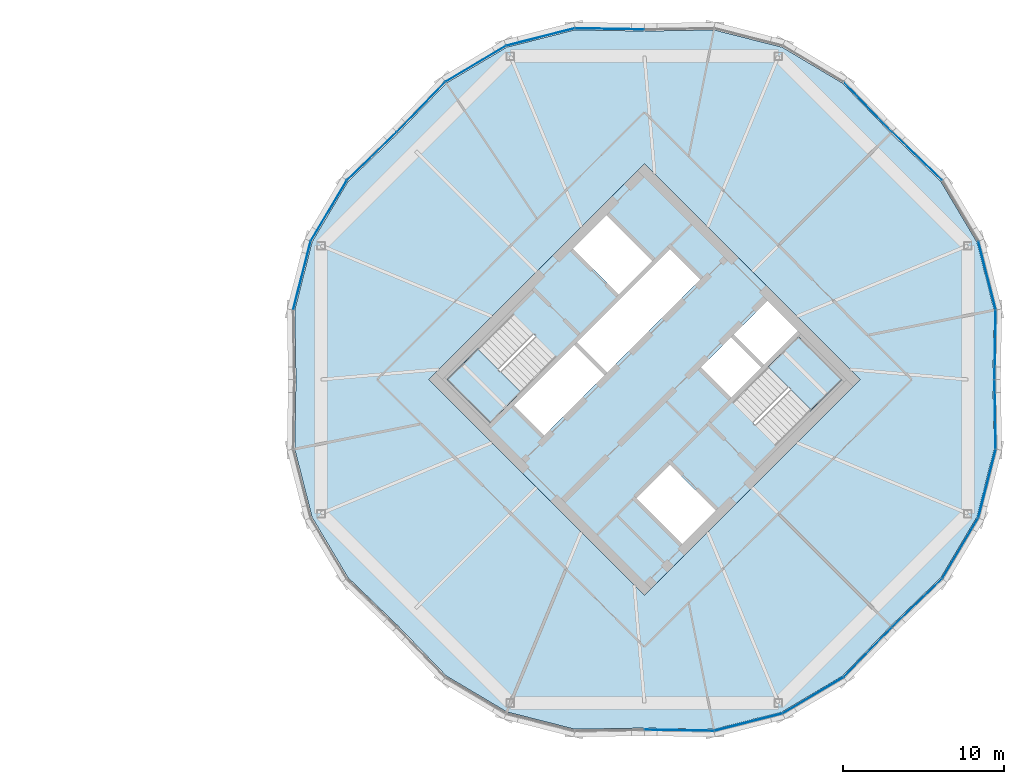
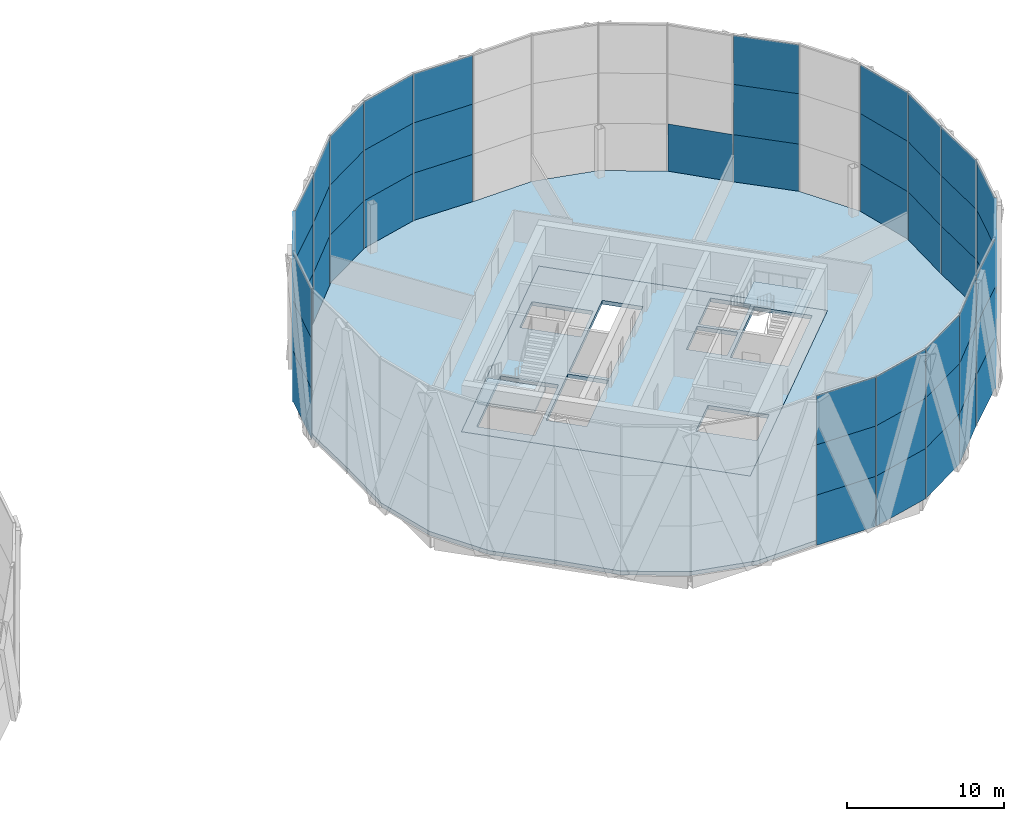
# One storey, part 15 of 23: 55 plates, 4 slabs, 8 elements without a shape of their own.
"""IFC4 building model written with IfcOpenShell, lengths in metres."""

from ifc_helpers import new_model, si_unit, direction, frame, origin, origin_2d, place, context, subcontext, project, spatial, polyline, rectangle, outline, extrude, material, layer, layer_set, type_object, element, aggregate, save


model = new_model("IFC4")

# Units and contexts
model_context = context("Model", 3, precision=1e-05, world=origin(), true_north=direction((0.0, 1.0)))
body_context = subcontext(model_context, "Body", "Model", "MODEL_VIEW")
ifc_project = project(units=[si_unit("LENGTHUNIT", "METRE"), si_unit("AREAUNIT", "SQUARE_METRE"), si_unit("VOLUMEUNIT", "CUBIC_METRE"), si_unit("PLANEANGLEUNIT", "RADIAN"), si_unit("MASSUNIT", "GRAM", prefix="KILO")], contexts=[model_context])

# Site, building, storey
site_placement = place(None, origin())
site = spatial("IfcSite", under=ifc_project, at=site_placement, CompositionType="ELEMENT")
building_placement = place(site_placement, origin())
building = spatial("IfcBuilding", under=site, at=building_placement, Name="Ogive Gate Towers", CompositionType="ELEMENT")
storey_placement = place(building_placement, frame((0.0, 0.0, 177.300048828125)))
storey = spatial("IfcBuildingStorey", under=building, at=storey_placement, Name="L42", CompositionType="ELEMENT", Elevation=177.300048828125)

# Slabs
ifc_material_1 = material(Name="Concrete C40/50", Category="concrete")
ifc_layer_1 = layer(ifc_material_1, 0.300048828125)
ifc_layer_set_1 = layer_set([ifc_layer_1], Name="Core slab C40/50 300 mm")
slab_type_1 = type_object("IfcSlabType", Name="Core slab C40/50 300 mm", PredefinedType="FLOOR", material=ifc_layer_set_1)
slab_1_placement = place(storey_placement, frame((0.0, 0.0, -0.300048828125)))
element("IfcSlab", 1, at=slab_1_placement, inside=storey, type_object=slab_type_1, Name="T2 L42 core slab", PredefinedType="FLOOR", context=body_context, shape_type="SweptSolid", body=[
    extrude(outline(polyline([(36.0, -13.43505859375), (22.56494140625, 0.0), (36.0, 13.43505859375), (49.43505859375, 0.0), (36.0, -13.43505859375)]), holes=[polyline([(29.759765625, -3.482421875), (33.50732421875, 0.26513671875), (31.615966796875, 2.15673828125), (27.868408203125, -1.591064453125), (29.759765625, -3.482421875)]), polyline([(31.792724609375, 2.33349609375), (33.68408203125, 0.44189453125), (39.482421875, 6.240234375), (37.591064453125, 8.131591796875), (31.792724609375, 2.33349609375)]), polyline([(41.3916015625, 2.634033203125), (39.517822265625, 0.760009765625), (41.409423828125, -1.13134765625), (43.283203125, 0.742431640625), (41.3916015625, 2.634033203125)]), polyline([(45.563720703125, 3.02294921875), (43.672119140625, 4.914306640625), (41.568603515625, 2.810791015625), (43.4599609375, 0.919189453125), (45.563720703125, 3.02294921875)]), polyline([(34.408935546875, 5.30322265625), (36.4951171875, 7.389404296875), (33.64892578125, 10.2353515625), (31.56298828125, 8.1494140625), (34.408935546875, 5.30322265625)]), polyline([(35.5048828125, -7.389404296875), (38.35107421875, -10.2353515625), (40.43701171875, -8.1494140625), (37.591064453125, -5.30322265625), (35.5048828125, -7.389404296875)]), polyline([(26.40087890625, -2.70458984375), (30.512939453125, 1.406982421875), (27.80810546875, 4.11181640625), (23.6962890625, 0.0), (26.40087890625, -2.70458984375)]), polyline([(48.3037109375, 0.0), (45.59912109375, 2.70458984375), (41.487060546875, -1.406982421875), (44.19189453125, -4.11181640625), (48.3037109375, 0.0)])]), origin(), (0.0, 0.0, 1.0), 0.300048828125),
])
ifc_material_2 = material(Name="Concrete C35/45", Category="concrete")
ifc_layer_2 = layer(ifc_material_2, 0.300048828125)
ifc_layer_set_2 = layer_set([ifc_layer_2], Name="Floor slab 300")
slab_type_2 = type_object("IfcSlabType", Name="Floor slab 300", PredefinedType="FLOOR", material=ifc_layer_set_2)
slab_2_placement = place(storey_placement, frame((0.0, 0.0, -0.300048828125)))
element("IfcSlab", 2, at=slab_2_placement, inside=storey, type_object=slab_type_2, Name="T2/L42/SSL001", PredefinedType="FLOOR", context=body_context, shape_type="SweptSolid", body=[
    extrude(outline(polyline([(57.783203125, -4.3330078125), (57.7099609375, 0.0), (57.783203125, 4.3330078125), (56.7041015625, 8.575927734375), (54.467041015625, 12.339111328125), (51.351318359375, 15.351318359375), (48.339111328125, 18.467041015625), (44.575927734375, 20.7041015625), (40.3330078125, 21.783203125), (36.0, 21.7099609375), (31.6669921875, 21.783203125), (27.424072265625, 20.7041015625), (23.660888671875, 18.467041015625), (20.648681640625, 15.351318359375), (17.532958984375, 12.339111328125), (15.2958984375, 8.575927734375), (14.216796875, 4.3330078125), (14.2900390625, 0.0), (14.216796875, -4.3330078125), (15.2958984375, -8.575927734375), (17.532958984375, -12.339111328125), (20.648681640625, -15.351318359375), (23.660888671875, -18.467041015625), (27.424072265625, -20.7041015625), (31.6669921875, -21.783203125), (36.0, -21.7099609375), (40.3330078125, -21.783203125), (44.575927734375, -20.7041015625), (48.339111328125, -18.467041015625), (51.351318359375, -15.351318359375), (54.467041015625, -12.339111328125), (56.7041015625, -8.575927734375), (57.783203125, -4.3330078125)]), holes=[polyline([(49.43505859375, 0.0), (36.0, -13.43505859375), (22.56494140625, 0.0), (36.0, 13.43505859375), (49.43505859375, 0.0)])]), origin(), (0.0, 0.0, 1.0), 0.300048828125),
])

# Stair, slab
stair_type = type_object("IfcStairType", Name="Escape stair 1840 wide", PredefinedType="HALF_TURN_STAIR", material=ifc_material_1)
stair_1_placement = place(storey_placement, origin())
stair_1 = element("IfcStair", 3, at=stair_1_placement, inside=storey, type_object=stair_type, Name="L42 Escape stair 1", PredefinedType="HALF_TURN_STAIR")
ifc_layer_3 = layer(ifc_material_1, 0.199951171875)
ifc_layer_set_3 = layer_set([ifc_layer_3], Name="Stair landing 200 mm")
slab_type_3 = type_object("IfcSlabType", Name="Stair landing 200 mm", PredefinedType="LANDING", material=ifc_layer_set_3)
slab_3_placement = place(storey_placement, frame((0.0, 0.0, 1.75)))
slab_3 = element("IfcSlab", 4, at=slab_3_placement, type_object=slab_type_3, Name="ST1 landing 1", PredefinedType="LANDING", context=body_context, shape_type="SweptSolid", body=[
    extrude(outline(polyline([(25.6044921875, 1.908203125), (23.6962890625, 0.0), (26.401123046875, -2.70458984375), (28.309326171875, -0.79638671875), (25.6044921875, 1.908203125)])), origin(), (0.0, 0.0, 1.0), 0.199951171875),
])
aggregate(stair_1, [slab_3])

stair_2_placement = place(storey_placement, origin())
stair_2 = element("IfcStair", 5, at=stair_2_placement, inside=storey, type_object=stair_type, Name="L42 Escape stair 2", PredefinedType="HALF_TURN_STAIR")
slab_4_placement = place(storey_placement, frame((0.0, 0.0, 1.75)))
slab_4 = element("IfcSlab", 6, at=slab_4_placement, type_object=slab_type_3, Name="ST2 landing 1", PredefinedType="LANDING", context=body_context, shape_type="SweptSolid", body=[
    extrude(outline(polyline([(46.3955078125, -1.908203125), (48.3037109375, 0.0), (45.598876953125, 2.70458984375), (43.690673828125, 0.79638671875), (46.3955078125, -1.908203125)])), origin(), (0.0, 0.0, 1.0), 0.199951171875),
])
aggregate(stair_2, [slab_4])

# Curtain wall, plates
ifc_material_3 = material(Name="Pale metal aluminium", Category="aluminium")
curtain_wall_type = type_object("IfcCurtainWallType", Name="Tower unitised wall, high zone", PredefinedType="NOTDEFINED", material=ifc_material_3)
curtain_wall_1_placement = place(storey_placement, origin())
curtain_wall_1 = element("IfcCurtainWall", 7, at=curtain_wall_1_placement, inside=storey, type_object=curtain_wall_type, Name="CW2 T2 ECW01", PredefinedType="NOTDEFINED")
ifc_material_4 = material(Name="Clear glass", Category="glass")
ifc_layer_4 = layer(ifc_material_4, 0.028076171875)
ifc_layer_set_4 = layer_set([ifc_layer_4], Name="Tower unitised wall, high zone glass panel")
plate_type = type_object("IfcPlateType", Name="Tower unitised wall, high zone glass panel", PredefinedType="CURTAIN_PANEL", material=ifc_layer_set_4)
plate_1_placement = place(storey_placement, frame((57.8466796875, 2.17041015625, -0.300048828125), z_axis=(0.0, 0.0, 1.0), x_axis=(0.016911434246, 0.99985699147, 0.0)))
plate_1 = element("IfcPlate", 8, at=plate_1_placement, type_object=plate_type, Name="CW2 glass panel", PredefinedType="CURTAIN_PANEL", context=body_context, shape_type="SweptSolid", body=[
    extrude(rectangle(XDim=4.287353515625, YDim=0.028076171875, at=origin_2d()), origin(), (0.0, 0.0, 1.0), 3.89990234375),
])
plate_2_placement = place(storey_placement, frame((57.8466796875, 2.17041015625, 3.60009765625), z_axis=(0.0, 0.0, 1.0), x_axis=(0.016911434246, 0.99985699147, 0.0)))
plate_2 = element("IfcPlate", 9, at=plate_2_placement, type_object=plate_type, Name="CW2 glass panel", PredefinedType="CURTAIN_PANEL", context=body_context, shape_type="SweptSolid", body=[
    extrude(rectangle(XDim=4.287353515625, YDim=0.028076171875, at=origin_2d()), origin(), (0.0, 0.0, 1.0), 3.89990234375),
])
plate_3_placement = place(storey_placement, frame((57.8466796875, 2.17041015625, 7.5), z_axis=(0.0, 0.0, 1.0), x_axis=(0.016911434246, 0.99985699147, 0.0)))
plate_3 = element("IfcPlate", 10, at=plate_3_placement, type_object=plate_type, Name="CW2 glass panel", PredefinedType="CURTAIN_PANEL", context=body_context, shape_type="SweptSolid", body=[
    extrude(rectangle(XDim=4.287353515625, YDim=0.028076171875, at=origin_2d()), origin(), (0.0, 0.0, 1.0), 3.803955078125),
])
plate_4_placement = place(storey_placement, frame((57.340576171875, 6.4794921875, -0.300048828125), z_axis=(0.0, 0.0, 1.0), x_axis=(-0.246491603437, 0.969144926951, 0.0)))
plate_4 = element("IfcPlate", 11, at=plate_4_placement, type_object=plate_type, Name="CW2 glass panel", PredefinedType="CURTAIN_PANEL", context=body_context, shape_type="SweptSolid", body=[
    extrude(rectangle(XDim=4.343994140625, YDim=0.028076171875, at=origin_2d()), origin(), (0.0, 0.0, 1.0), 3.89990234375),
])
plate_5_placement = place(storey_placement, frame((57.340576171875, 6.4794921875, 3.60009765625), z_axis=(0.0, 0.0, 1.0), x_axis=(-0.246491603437, 0.969144926951, 0.0)))
plate_5 = element("IfcPlate", 12, at=plate_5_placement, type_object=plate_type, Name="CW2 glass panel", PredefinedType="CURTAIN_PANEL", context=body_context, shape_type="SweptSolid", body=[
    extrude(rectangle(XDim=4.343994140625, YDim=0.028076171875, at=origin_2d()), origin(), (0.0, 0.0, 1.0), 3.89990234375),
])
plate_6_placement = place(storey_placement, frame((57.340576171875, 6.4794921875, 7.5), z_axis=(0.0, 0.0, 1.0), x_axis=(-0.246491603437, 0.969144926951, 0.0)))
plate_6 = element("IfcPlate", 13, at=plate_6_placement, type_object=plate_type, Name="CW2 glass panel", PredefinedType="CURTAIN_PANEL", context=body_context, shape_type="SweptSolid", body=[
    extrude(rectangle(XDim=4.343994140625, YDim=0.028076171875, at=origin_2d()), origin(), (0.0, 0.0, 1.0), 3.803955078125),
])
plate_7_placement = place(storey_placement, frame((52.982666015625, 13.9130859375, -0.300048828125), z_axis=(0.0, 0.0, 1.0), x_axis=(-0.71896384872, 0.69504746905, 0.0)))
plate_7 = element("IfcPlate", 14, at=plate_7_placement, type_object=plate_type, Name="CW2 glass panel", PredefinedType="CURTAIN_PANEL", context=body_context, shape_type="SweptSolid", body=[
    extrude(rectangle(XDim=4.287353515625, YDim=0.028076171875, at=origin_2d()), origin(), (0.0, 0.0, 1.0), 3.89990234375),
])
plate_8_placement = place(storey_placement, frame((52.982666015625, 13.9130859375, 3.60009765625), z_axis=(0.0, 0.0, 1.0), x_axis=(-0.71896384872, 0.69504746905, 0.0)))
plate_8 = element("IfcPlate", 15, at=plate_8_placement, type_object=plate_type, Name="CW2 glass panel", PredefinedType="CURTAIN_PANEL", context=body_context, shape_type="SweptSolid", body=[
    extrude(rectangle(XDim=4.287353515625, YDim=0.028076171875, at=origin_2d()), origin(), (0.0, 0.0, 1.0), 3.89990234375),
])
plate_9_placement = place(storey_placement, frame((52.982666015625, 13.9130859375, 7.5), z_axis=(0.0, 0.0, 1.0), x_axis=(-0.71896384872, 0.69504746905, 0.0)))
plate_9 = element("IfcPlate", 16, at=plate_9_placement, type_object=plate_type, Name="CW2 glass panel", PredefinedType="CURTAIN_PANEL", context=body_context, shape_type="SweptSolid", body=[
    extrude(rectangle(XDim=4.287353515625, YDim=0.028076171875, at=origin_2d()), origin(), (0.0, 0.0, 1.0), 3.803955078125),
])
aggregate(curtain_wall_1, [plate_1, plate_2, plate_3, plate_4, plate_5, plate_6, plate_7, plate_8, plate_9])

# Curtain wall, plate
curtain_wall_2_placement = place(storey_placement, origin())
curtain_wall_2 = element("IfcCurtainWall", 17, at=curtain_wall_2_placement, inside=storey, type_object=curtain_wall_type, Name="CW2 T2 ECW02", PredefinedType="NOTDEFINED")
plate_10_placement = place(storey_placement, frame((49.9130859375, 16.982666015625, -0.300048828125), z_axis=(0.0, 0.0, 1.0), x_axis=(-0.69504746905, 0.71896384872, 0.0)))
plate_10 = element("IfcPlate", 18, at=plate_10_placement, type_object=plate_type, Name="CW2 glass panel", PredefinedType="CURTAIN_PANEL", context=body_context, shape_type="SweptSolid", body=[
    extrude(rectangle(XDim=4.287353515625, YDim=0.028076171875, at=origin_2d()), origin(), (0.0, 0.0, 1.0), 3.89990234375),
])
aggregate(curtain_wall_2, [plate_10])

# Curtain wall, plates
curtain_wall_3_placement = place(storey_placement, origin())
curtain_wall_3 = element("IfcCurtainWall", 19, at=curtain_wall_3_placement, inside=storey, type_object=curtain_wall_type, Name="CW2 T2 ECW03", PredefinedType="NOTDEFINED")
plate_11_placement = place(storey_placement, frame((33.82958984375, 21.8466796875, -0.300048828125), z_axis=(0.0, 0.0, 1.0), x_axis=(-0.99985699147, 0.016911434246, 0.0)))
plate_11 = element("IfcPlate", 20, at=plate_11_placement, type_object=plate_type, Name="CW2 glass panel", PredefinedType="CURTAIN_PANEL", context=body_context, shape_type="SweptSolid", body=[
    extrude(rectangle(XDim=4.287353515625, YDim=0.028076171875, at=origin_2d()), origin(), (0.0, 0.0, 1.0), 3.89990234375),
])
plate_12_placement = place(storey_placement, frame((33.82958984375, 21.8466796875, 3.60009765625), z_axis=(0.0, 0.0, 1.0), x_axis=(-0.99985699147, 0.016911434246, 0.0)))
plate_12 = element("IfcPlate", 21, at=plate_12_placement, type_object=plate_type, Name="CW2 glass panel", PredefinedType="CURTAIN_PANEL", context=body_context, shape_type="SweptSolid", body=[
    extrude(rectangle(XDim=4.287353515625, YDim=0.028076171875, at=origin_2d()), origin(), (0.0, 0.0, 1.0), 3.89990234375),
])
plate_13_placement = place(storey_placement, frame((33.82958984375, 21.8466796875, 7.5), z_axis=(0.0, 0.0, 1.0), x_axis=(-0.99985699147, 0.016911434246, 0.0)))
plate_13 = element("IfcPlate", 22, at=plate_13_placement, type_object=plate_type, Name="CW2 glass panel", PredefinedType="CURTAIN_PANEL", context=body_context, shape_type="SweptSolid", body=[
    extrude(rectangle(XDim=4.287353515625, YDim=0.028076171875, at=origin_2d()), origin(), (0.0, 0.0, 1.0), 3.803955078125),
])
plate_14_placement = place(storey_placement, frame((29.5205078125, 21.340576171875, -0.300048828125), z_axis=(0.0, 0.0, 1.0), x_axis=(-0.969144926951, -0.246491603437, 0.0)))
plate_14 = element("IfcPlate", 23, at=plate_14_placement, type_object=plate_type, Name="CW2 glass panel", PredefinedType="CURTAIN_PANEL", context=body_context, shape_type="SweptSolid", body=[
    extrude(rectangle(XDim=4.343994140625, YDim=0.028076171875, at=origin_2d()), origin(), (0.0, 0.0, 1.0), 3.89990234375),
])
plate_15_placement = place(storey_placement, frame((29.5205078125, 21.340576171875, 3.60009765625), z_axis=(0.0, 0.0, 1.0), x_axis=(-0.969144926951, -0.246491603437, 0.0)))
plate_15 = element("IfcPlate", 24, at=plate_15_placement, type_object=plate_type, Name="CW2 glass panel", PredefinedType="CURTAIN_PANEL", context=body_context, shape_type="SweptSolid", body=[
    extrude(rectangle(XDim=4.343994140625, YDim=0.028076171875, at=origin_2d()), origin(), (0.0, 0.0, 1.0), 3.89990234375),
])
plate_16_placement = place(storey_placement, frame((29.5205078125, 21.340576171875, 7.5), z_axis=(0.0, 0.0, 1.0), x_axis=(-0.969144926951, -0.246491603437, 0.0)))
plate_16 = element("IfcPlate", 25, at=plate_16_placement, type_object=plate_type, Name="CW2 glass panel", PredefinedType="CURTAIN_PANEL", context=body_context, shape_type="SweptSolid", body=[
    extrude(rectangle(XDim=4.343994140625, YDim=0.028076171875, at=origin_2d()), origin(), (0.0, 0.0, 1.0), 3.803955078125),
])
plate_17_placement = place(storey_placement, frame((25.49169921875, 19.671875, -0.300048828125), z_axis=(0.0, 0.0, 1.0), x_axis=(-0.859584834096, -0.510993065504, 0.0)))
plate_17 = element("IfcPlate", 26, at=plate_17_placement, type_object=plate_type, Name="CW2 glass panel", PredefinedType="CURTAIN_PANEL", context=body_context, shape_type="SweptSolid", body=[
    extrude(rectangle(XDim=4.343994140625, YDim=0.028076171875, at=origin_2d()), origin(), (0.0, 0.0, 1.0), 3.89990234375),
])
plate_18_placement = place(storey_placement, frame((25.49169921875, 19.671875, 3.60009765625), z_axis=(0.0, 0.0, 1.0), x_axis=(-0.859584834096, -0.510993065504, 0.0)))
plate_18 = element("IfcPlate", 27, at=plate_18_placement, type_object=plate_type, Name="CW2 glass panel", PredefinedType="CURTAIN_PANEL", context=body_context, shape_type="SweptSolid", body=[
    extrude(rectangle(XDim=4.343994140625, YDim=0.028076171875, at=origin_2d()), origin(), (0.0, 0.0, 1.0), 3.89990234375),
])
plate_19_placement = place(storey_placement, frame((25.49169921875, 19.671875, 7.5), z_axis=(0.0, 0.0, 1.0), x_axis=(-0.859584834096, -0.510993065504, 0.0)))
plate_19 = element("IfcPlate", 28, at=plate_19_placement, type_object=plate_type, Name="CW2 glass panel", PredefinedType="CURTAIN_PANEL", context=body_context, shape_type="SweptSolid", body=[
    extrude(rectangle(XDim=4.343994140625, YDim=0.028076171875, at=origin_2d()), origin(), (0.0, 0.0, 1.0), 3.803955078125),
])
plate_20_placement = place(storey_placement, frame((22.0869140625, 16.982666015625, -0.300048828125), z_axis=(0.0, 0.0, 1.0), x_axis=(-0.69504746905, -0.71896384872, 0.0)))
plate_20 = element("IfcPlate", 29, at=plate_20_placement, type_object=plate_type, Name="CW2 glass panel", PredefinedType="CURTAIN_PANEL", context=body_context, shape_type="SweptSolid", body=[
    extrude(rectangle(XDim=4.287353515625, YDim=0.028076171875, at=origin_2d()), origin(), (0.0, 0.0, 1.0), 3.89990234375),
])
plate_21_placement = place(storey_placement, frame((22.0869140625, 16.982666015625, 3.60009765625), z_axis=(0.0, 0.0, 1.0), x_axis=(-0.69504746905, -0.71896384872, 0.0)))
plate_21 = element("IfcPlate", 30, at=plate_21_placement, type_object=plate_type, Name="CW2 glass panel", PredefinedType="CURTAIN_PANEL", context=body_context, shape_type="SweptSolid", body=[
    extrude(rectangle(XDim=4.287353515625, YDim=0.028076171875, at=origin_2d()), origin(), (0.0, 0.0, 1.0), 3.89990234375),
])
plate_22_placement = place(storey_placement, frame((22.0869140625, 16.982666015625, 7.5), z_axis=(0.0, 0.0, 1.0), x_axis=(-0.69504746905, -0.71896384872, 0.0)))
plate_22 = element("IfcPlate", 31, at=plate_22_placement, type_object=plate_type, Name="CW2 glass panel", PredefinedType="CURTAIN_PANEL", context=body_context, shape_type="SweptSolid", body=[
    extrude(rectangle(XDim=4.287353515625, YDim=0.028076171875, at=origin_2d()), origin(), (0.0, 0.0, 1.0), 3.803955078125),
])
aggregate(curtain_wall_3, [plate_11, plate_12, plate_13, plate_14, plate_15, plate_16, plate_17, plate_18, plate_19, plate_20, plate_21, plate_22])

curtain_wall_4_placement = place(storey_placement, origin())
curtain_wall_4 = element("IfcCurtainWall", 32, at=curtain_wall_4_placement, inside=storey, type_object=curtain_wall_type, Name="CW2 T2 ECW04", PredefinedType="NOTDEFINED")
plate_23_placement = place(storey_placement, frame((19.017333984375, 13.9130859375, -0.300048828125), z_axis=(0.0, 0.0, 1.0), x_axis=(-0.71896384872, -0.69504746905, 0.0)))
plate_23 = element("IfcPlate", 33, at=plate_23_placement, type_object=plate_type, Name="CW2 glass panel", PredefinedType="CURTAIN_PANEL", context=body_context, shape_type="SweptSolid", body=[
    extrude(rectangle(XDim=4.287353515625, YDim=0.028076171875, at=origin_2d()), origin(), (0.0, 0.0, 1.0), 3.89990234375),
])
plate_24_placement = place(storey_placement, frame((19.017333984375, 13.9130859375, 3.60009765625), z_axis=(0.0, 0.0, 1.0), x_axis=(-0.71896384872, -0.69504746905, 0.0)))
plate_24 = element("IfcPlate", 34, at=plate_24_placement, type_object=plate_type, Name="CW2 glass panel", PredefinedType="CURTAIN_PANEL", context=body_context, shape_type="SweptSolid", body=[
    extrude(rectangle(XDim=4.287353515625, YDim=0.028076171875, at=origin_2d()), origin(), (0.0, 0.0, 1.0), 3.89990234375),
])
plate_25_placement = place(storey_placement, frame((19.017333984375, 13.9130859375, 7.5), z_axis=(0.0, 0.0, 1.0), x_axis=(-0.71896384872, -0.69504746905, 0.0)))
plate_25 = element("IfcPlate", 35, at=plate_25_placement, type_object=plate_type, Name="CW2 glass panel", PredefinedType="CURTAIN_PANEL", context=body_context, shape_type="SweptSolid", body=[
    extrude(rectangle(XDim=4.287353515625, YDim=0.028076171875, at=origin_2d()), origin(), (0.0, 0.0, 1.0), 3.803955078125),
])
plate_26_placement = place(storey_placement, frame((16.328125, 10.50830078125, -0.300048828125), z_axis=(0.0, 0.0, 1.0), x_axis=(-0.510993065504, -0.859584834096, 0.0)))
plate_26 = element("IfcPlate", 36, at=plate_26_placement, type_object=plate_type, Name="CW2 glass panel", PredefinedType="CURTAIN_PANEL", context=body_context, shape_type="SweptSolid", body=[
    extrude(rectangle(XDim=4.343994140625, YDim=0.028076171875, at=origin_2d()), origin(), (0.0, 0.0, 1.0), 3.89990234375),
])
plate_27_placement = place(storey_placement, frame((16.328125, 10.50830078125, 3.60009765625), z_axis=(0.0, 0.0, 1.0), x_axis=(-0.510993065504, -0.859584834096, 0.0)))
plate_27 = element("IfcPlate", 37, at=plate_27_placement, type_object=plate_type, Name="CW2 glass panel", PredefinedType="CURTAIN_PANEL", context=body_context, shape_type="SweptSolid", body=[
    extrude(rectangle(XDim=4.343994140625, YDim=0.028076171875, at=origin_2d()), origin(), (0.0, 0.0, 1.0), 3.89990234375),
])
plate_28_placement = place(storey_placement, frame((16.328125, 10.50830078125, 7.5), z_axis=(0.0, 0.0, 1.0), x_axis=(-0.510993065504, -0.859584834096, 0.0)))
plate_28 = element("IfcPlate", 38, at=plate_28_placement, type_object=plate_type, Name="CW2 glass panel", PredefinedType="CURTAIN_PANEL", context=body_context, shape_type="SweptSolid", body=[
    extrude(rectangle(XDim=4.343994140625, YDim=0.028076171875, at=origin_2d()), origin(), (0.0, 0.0, 1.0), 3.803955078125),
])
plate_29_placement = place(storey_placement, frame((14.659423828125, 6.4794921875, -0.300048828125), z_axis=(0.0, 0.0, 1.0), x_axis=(-0.246491603437, -0.969144926951, 0.0)))
plate_29 = element("IfcPlate", 39, at=plate_29_placement, type_object=plate_type, Name="CW2 glass panel", PredefinedType="CURTAIN_PANEL", context=body_context, shape_type="SweptSolid", body=[
    extrude(rectangle(XDim=4.343994140625, YDim=0.028076171875, at=origin_2d()), origin(), (0.0, 0.0, 1.0), 3.89990234375),
])
plate_30_placement = place(storey_placement, frame((14.659423828125, 6.4794921875, 3.60009765625), z_axis=(0.0, 0.0, 1.0), x_axis=(-0.246491603437, -0.969144926951, 0.0)))
plate_30 = element("IfcPlate", 40, at=plate_30_placement, type_object=plate_type, Name="CW2 glass panel", PredefinedType="CURTAIN_PANEL", context=body_context, shape_type="SweptSolid", body=[
    extrude(rectangle(XDim=4.343994140625, YDim=0.028076171875, at=origin_2d()), origin(), (0.0, 0.0, 1.0), 3.89990234375),
])
plate_31_placement = place(storey_placement, frame((14.659423828125, 6.4794921875, 7.5), z_axis=(0.0, 0.0, 1.0), x_axis=(-0.246491603437, -0.969144926951, 0.0)))
plate_31 = element("IfcPlate", 41, at=plate_31_placement, type_object=plate_type, Name="CW2 glass panel", PredefinedType="CURTAIN_PANEL", context=body_context, shape_type="SweptSolid", body=[
    extrude(rectangle(XDim=4.343994140625, YDim=0.028076171875, at=origin_2d()), origin(), (0.0, 0.0, 1.0), 3.803955078125),
])
aggregate(curtain_wall_4, [plate_23, plate_24, plate_25, plate_26, plate_27, plate_28, plate_29, plate_30, plate_31])

curtain_wall_5_placement = place(storey_placement, origin())
curtain_wall_5 = element("IfcCurtainWall", 42, at=curtain_wall_5_placement, inside=storey, type_object=curtain_wall_type, Name="CW2 T2 ECW07", PredefinedType="NOTDEFINED")
plate_32_placement = place(storey_placement, frame((38.17041015625, -21.8466796875, -0.300048828125), z_axis=(0.0, 0.0, 1.0), x_axis=(0.99985699147, -0.016911434246, 0.0)))
plate_32 = element("IfcPlate", 43, at=plate_32_placement, type_object=plate_type, Name="CW2 glass panel", PredefinedType="CURTAIN_PANEL", context=body_context, shape_type="SweptSolid", body=[
    extrude(rectangle(XDim=4.287353515625, YDim=0.028076171875, at=origin_2d()), origin(), (0.0, 0.0, 1.0), 3.89990234375),
])
plate_33_placement = place(storey_placement, frame((38.17041015625, -21.8466796875, 3.60009765625), z_axis=(0.0, 0.0, 1.0), x_axis=(0.99985699147, -0.016911434246, 0.0)))
plate_33 = element("IfcPlate", 44, at=plate_33_placement, type_object=plate_type, Name="CW2 glass panel", PredefinedType="CURTAIN_PANEL", context=body_context, shape_type="SweptSolid", body=[
    extrude(rectangle(XDim=4.287353515625, YDim=0.028076171875, at=origin_2d()), origin(), (0.0, 0.0, 1.0), 3.89990234375),
])
plate_34_placement = place(storey_placement, frame((38.17041015625, -21.8466796875, 7.5), z_axis=(0.0, 0.0, 1.0), x_axis=(0.99985699147, -0.016911434246, 0.0)))
plate_34 = element("IfcPlate", 45, at=plate_34_placement, type_object=plate_type, Name="CW2 glass panel", PredefinedType="CURTAIN_PANEL", context=body_context, shape_type="SweptSolid", body=[
    extrude(rectangle(XDim=4.287353515625, YDim=0.028076171875, at=origin_2d()), origin(), (0.0, 0.0, 1.0), 3.803955078125),
])
plate_35_placement = place(storey_placement, frame((42.4794921875, -21.340576171875, -0.300048828125), z_axis=(0.0, 0.0, 1.0), x_axis=(0.969144926951, 0.246491603437, 0.0)))
plate_35 = element("IfcPlate", 46, at=plate_35_placement, type_object=plate_type, Name="CW2 glass panel", PredefinedType="CURTAIN_PANEL", context=body_context, shape_type="SweptSolid", body=[
    extrude(rectangle(XDim=4.343994140625, YDim=0.028076171875, at=origin_2d()), origin(), (0.0, 0.0, 1.0), 3.89990234375),
])
plate_36_placement = place(storey_placement, frame((42.4794921875, -21.340576171875, 3.60009765625), z_axis=(0.0, 0.0, 1.0), x_axis=(0.969144926951, 0.246491603437, 0.0)))
plate_36 = element("IfcPlate", 47, at=plate_36_placement, type_object=plate_type, Name="CW2 glass panel", PredefinedType="CURTAIN_PANEL", context=body_context, shape_type="SweptSolid", body=[
    extrude(rectangle(XDim=4.343994140625, YDim=0.028076171875, at=origin_2d()), origin(), (0.0, 0.0, 1.0), 3.89990234375),
])
plate_37_placement = place(storey_placement, frame((42.4794921875, -21.340576171875, 7.5), z_axis=(0.0, 0.0, 1.0), x_axis=(0.969144926951, 0.246491603437, 0.0)))
plate_37 = element("IfcPlate", 48, at=plate_37_placement, type_object=plate_type, Name="CW2 glass panel", PredefinedType="CURTAIN_PANEL", context=body_context, shape_type="SweptSolid", body=[
    extrude(rectangle(XDim=4.343994140625, YDim=0.028076171875, at=origin_2d()), origin(), (0.0, 0.0, 1.0), 3.803955078125),
])
plate_38_placement = place(storey_placement, frame((46.50830078125, -19.671875, -0.300048828125), z_axis=(0.0, 0.0, 1.0), x_axis=(0.859584834096, 0.510993065504, 0.0)))
plate_38 = element("IfcPlate", 49, at=plate_38_placement, type_object=plate_type, Name="CW2 glass panel", PredefinedType="CURTAIN_PANEL", context=body_context, shape_type="SweptSolid", body=[
    extrude(rectangle(XDim=4.343994140625, YDim=0.028076171875, at=origin_2d()), origin(), (0.0, 0.0, 1.0), 3.89990234375),
])
plate_39_placement = place(storey_placement, frame((46.50830078125, -19.671875, 3.60009765625), z_axis=(0.0, 0.0, 1.0), x_axis=(0.859584834096, 0.510993065504, 0.0)))
plate_39 = element("IfcPlate", 50, at=plate_39_placement, type_object=plate_type, Name="CW2 glass panel", PredefinedType="CURTAIN_PANEL", context=body_context, shape_type="SweptSolid", body=[
    extrude(rectangle(XDim=4.343994140625, YDim=0.028076171875, at=origin_2d()), origin(), (0.0, 0.0, 1.0), 3.89990234375),
])
plate_40_placement = place(storey_placement, frame((46.50830078125, -19.671875, 7.5), z_axis=(0.0, 0.0, 1.0), x_axis=(0.859584834096, 0.510993065504, 0.0)))
plate_40 = element("IfcPlate", 51, at=plate_40_placement, type_object=plate_type, Name="CW2 glass panel", PredefinedType="CURTAIN_PANEL", context=body_context, shape_type="SweptSolid", body=[
    extrude(rectangle(XDim=4.343994140625, YDim=0.028076171875, at=origin_2d()), origin(), (0.0, 0.0, 1.0), 3.803955078125),
])
plate_41_placement = place(storey_placement, frame((49.9130859375, -16.982666015625, -0.300048828125), z_axis=(0.0, 0.0, 1.0), x_axis=(0.69504746905, 0.71896384872, 0.0)))
plate_41 = element("IfcPlate", 52, at=plate_41_placement, type_object=plate_type, Name="CW2 glass panel", PredefinedType="CURTAIN_PANEL", context=body_context, shape_type="SweptSolid", body=[
    extrude(rectangle(XDim=4.287353515625, YDim=0.028076171875, at=origin_2d()), origin(), (0.0, 0.0, 1.0), 3.89990234375),
])
plate_42_placement = place(storey_placement, frame((49.9130859375, -16.982666015625, 3.60009765625), z_axis=(0.0, 0.0, 1.0), x_axis=(0.69504746905, 0.71896384872, 0.0)))
plate_42 = element("IfcPlate", 53, at=plate_42_placement, type_object=plate_type, Name="CW2 glass panel", PredefinedType="CURTAIN_PANEL", context=body_context, shape_type="SweptSolid", body=[
    extrude(rectangle(XDim=4.287353515625, YDim=0.028076171875, at=origin_2d()), origin(), (0.0, 0.0, 1.0), 3.89990234375),
])
plate_43_placement = place(storey_placement, frame((49.9130859375, -16.982666015625, 7.5), z_axis=(0.0, 0.0, 1.0), x_axis=(0.69504746905, 0.71896384872, 0.0)))
plate_43 = element("IfcPlate", 54, at=plate_43_placement, type_object=plate_type, Name="CW2 glass panel", PredefinedType="CURTAIN_PANEL", context=body_context, shape_type="SweptSolid", body=[
    extrude(rectangle(XDim=4.287353515625, YDim=0.028076171875, at=origin_2d()), origin(), (0.0, 0.0, 1.0), 3.803955078125),
])
aggregate(curtain_wall_5, [plate_32, plate_33, plate_34, plate_35, plate_36, plate_37, plate_38, plate_39, plate_40, plate_41, plate_42, plate_43])

curtain_wall_6_placement = place(storey_placement, origin())
curtain_wall_6 = element("IfcCurtainWall", 55, at=curtain_wall_6_placement, inside=storey, type_object=curtain_wall_type, Name="CW2 T2 ECW08", PredefinedType="NOTDEFINED")
plate_44_placement = place(storey_placement, frame((52.982666015625, -13.9130859375, -0.300048828125), z_axis=(0.0, 0.0, 1.0), x_axis=(0.71896384872, 0.69504746905, 0.0)))
plate_44 = element("IfcPlate", 56, at=plate_44_placement, type_object=plate_type, Name="CW2 glass panel", PredefinedType="CURTAIN_PANEL", context=body_context, shape_type="SweptSolid", body=[
    extrude(rectangle(XDim=4.287353515625, YDim=0.028076171875, at=origin_2d()), origin(), (0.0, 0.0, 1.0), 3.89990234375),
])
plate_45_placement = place(storey_placement, frame((52.982666015625, -13.9130859375, 3.60009765625), z_axis=(0.0, 0.0, 1.0), x_axis=(0.71896384872, 0.69504746905, 0.0)))
plate_45 = element("IfcPlate", 57, at=plate_45_placement, type_object=plate_type, Name="CW2 glass panel", PredefinedType="CURTAIN_PANEL", context=body_context, shape_type="SweptSolid", body=[
    extrude(rectangle(XDim=4.287353515625, YDim=0.028076171875, at=origin_2d()), origin(), (0.0, 0.0, 1.0), 3.89990234375),
])
plate_46_placement = place(storey_placement, frame((52.982666015625, -13.9130859375, 7.5), z_axis=(0.0, 0.0, 1.0), x_axis=(0.71896384872, 0.69504746905, 0.0)))
plate_46 = element("IfcPlate", 58, at=plate_46_placement, type_object=plate_type, Name="CW2 glass panel", PredefinedType="CURTAIN_PANEL", context=body_context, shape_type="SweptSolid", body=[
    extrude(rectangle(XDim=4.287353515625, YDim=0.028076171875, at=origin_2d()), origin(), (0.0, 0.0, 1.0), 3.803955078125),
])
plate_47_placement = place(storey_placement, frame((55.671875, -10.50830078125, -0.300048828125), z_axis=(0.0, 0.0, 1.0), x_axis=(0.510993065504, 0.859584834096, 0.0)))
plate_47 = element("IfcPlate", 59, at=plate_47_placement, type_object=plate_type, Name="CW2 glass panel", PredefinedType="CURTAIN_PANEL", context=body_context, shape_type="SweptSolid", body=[
    extrude(rectangle(XDim=4.343994140625, YDim=0.028076171875, at=origin_2d()), origin(), (0.0, 0.0, 1.0), 3.89990234375),
])
plate_48_placement = place(storey_placement, frame((55.671875, -10.50830078125, 3.60009765625), z_axis=(0.0, 0.0, 1.0), x_axis=(0.510993065504, 0.859584834096, 0.0)))
plate_48 = element("IfcPlate", 60, at=plate_48_placement, type_object=plate_type, Name="CW2 glass panel", PredefinedType="CURTAIN_PANEL", context=body_context, shape_type="SweptSolid", body=[
    extrude(rectangle(XDim=4.343994140625, YDim=0.028076171875, at=origin_2d()), origin(), (0.0, 0.0, 1.0), 3.89990234375),
])
plate_49_placement = place(storey_placement, frame((55.671875, -10.50830078125, 7.5), z_axis=(0.0, 0.0, 1.0), x_axis=(0.510993065504, 0.859584834096, 0.0)))
plate_49 = element("IfcPlate", 61, at=plate_49_placement, type_object=plate_type, Name="CW2 glass panel", PredefinedType="CURTAIN_PANEL", context=body_context, shape_type="SweptSolid", body=[
    extrude(rectangle(XDim=4.343994140625, YDim=0.028076171875, at=origin_2d()), origin(), (0.0, 0.0, 1.0), 3.803955078125),
])
plate_50_placement = place(storey_placement, frame((57.340576171875, -6.4794921875, -0.300048828125), z_axis=(0.0, 0.0, 1.0), x_axis=(0.246491603437, 0.969144926951, 0.0)))
plate_50 = element("IfcPlate", 62, at=plate_50_placement, type_object=plate_type, Name="CW2 glass panel", PredefinedType="CURTAIN_PANEL", context=body_context, shape_type="SweptSolid", body=[
    extrude(rectangle(XDim=4.343994140625, YDim=0.028076171875, at=origin_2d()), origin(), (0.0, 0.0, 1.0), 3.89990234375),
])
plate_51_placement = place(storey_placement, frame((57.340576171875, -6.4794921875, 3.60009765625), z_axis=(0.0, 0.0, 1.0), x_axis=(0.246491603437, 0.969144926951, 0.0)))
plate_51 = element("IfcPlate", 63, at=plate_51_placement, type_object=plate_type, Name="CW2 glass panel", PredefinedType="CURTAIN_PANEL", context=body_context, shape_type="SweptSolid", body=[
    extrude(rectangle(XDim=4.343994140625, YDim=0.028076171875, at=origin_2d()), origin(), (0.0, 0.0, 1.0), 3.89990234375),
])
plate_52_placement = place(storey_placement, frame((57.340576171875, -6.4794921875, 7.5), z_axis=(0.0, 0.0, 1.0), x_axis=(0.246491603437, 0.969144926951, 0.0)))
plate_52 = element("IfcPlate", 64, at=plate_52_placement, type_object=plate_type, Name="CW2 glass panel", PredefinedType="CURTAIN_PANEL", context=body_context, shape_type="SweptSolid", body=[
    extrude(rectangle(XDim=4.343994140625, YDim=0.028076171875, at=origin_2d()), origin(), (0.0, 0.0, 1.0), 3.803955078125),
])
plate_53_placement = place(storey_placement, frame((57.8466796875, -2.17041015625, -0.300048828125), z_axis=(0.0, 0.0, 1.0), x_axis=(-0.016911434246, 0.99985699147, 0.0)))
plate_53 = element("IfcPlate", 65, at=plate_53_placement, type_object=plate_type, Name="CW2 glass panel", PredefinedType="CURTAIN_PANEL", context=body_context, shape_type="SweptSolid", body=[
    extrude(rectangle(XDim=4.287353515625, YDim=0.028076171875, at=origin_2d()), origin(), (0.0, 0.0, 1.0), 3.89990234375),
])
plate_54_placement = place(storey_placement, frame((57.8466796875, -2.17041015625, 3.60009765625), z_axis=(0.0, 0.0, 1.0), x_axis=(-0.016911434246, 0.99985699147, 0.0)))
plate_54 = element("IfcPlate", 66, at=plate_54_placement, type_object=plate_type, Name="CW2 glass panel", PredefinedType="CURTAIN_PANEL", context=body_context, shape_type="SweptSolid", body=[
    extrude(rectangle(XDim=4.287353515625, YDim=0.028076171875, at=origin_2d()), origin(), (0.0, 0.0, 1.0), 3.89990234375),
])
plate_55_placement = place(storey_placement, frame((57.8466796875, -2.17041015625, 7.5), z_axis=(0.0, 0.0, 1.0), x_axis=(-0.016911434246, 0.99985699147, 0.0)))
plate_55 = element("IfcPlate", 67, at=plate_55_placement, type_object=plate_type, Name="CW2 glass panel", PredefinedType="CURTAIN_PANEL", context=body_context, shape_type="SweptSolid", body=[
    extrude(rectangle(XDim=4.287353515625, YDim=0.028076171875, at=origin_2d()), origin(), (0.0, 0.0, 1.0), 3.803955078125),
])
aggregate(curtain_wall_6, [plate_44, plate_45, plate_46, plate_47, plate_48, plate_49, plate_50, plate_51, plate_52, plate_53, plate_54, plate_55])

save(model, "model.ifc")
